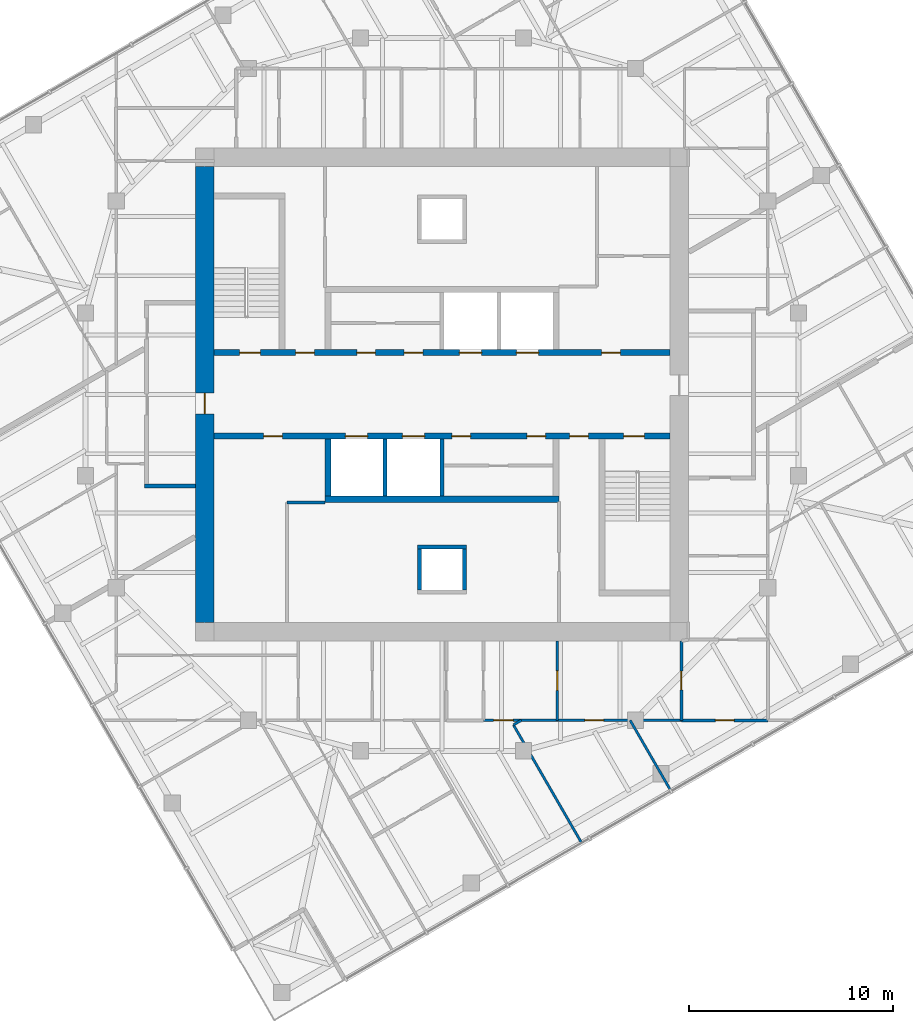
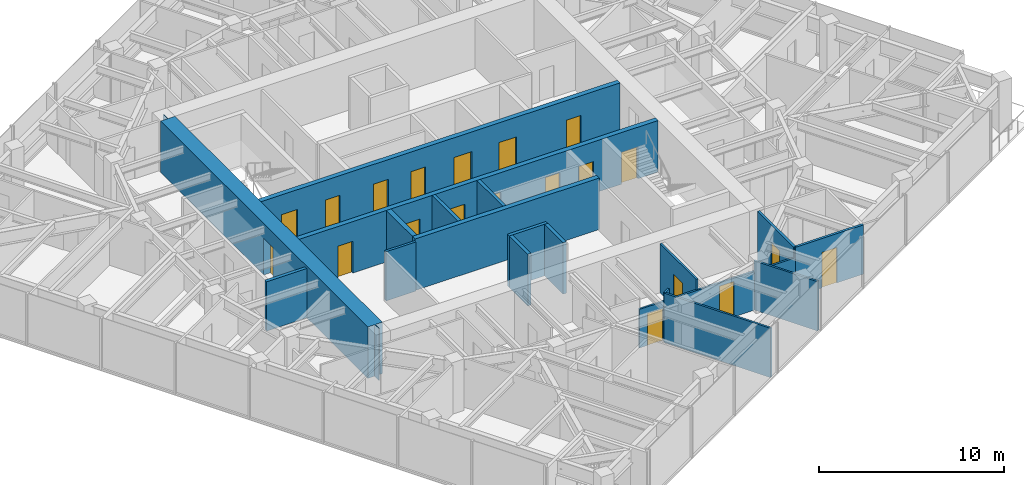
# One storey, part 8 of 13: 20 doors, 19 walls, 20 openings.
"""IFC4 building model written with IfcOpenShell, lengths in metres."""

from ifc_helpers import new_model, si_unit, direction, frame, frame_2d, origin, place, context, subcontext, project, spatial, polyline, rectangle, outline, extrude, material, layer, layer_set, type_object, element, fill, save


model = new_model("IFC4")

# Units and contexts
model_context = context("Model", 3, precision=1e-05, world=origin(), true_north=direction((0.0, 1.0)))
body_context = subcontext(model_context, "Body", "Model", "MODEL_VIEW")
ifc_project = project(units=[si_unit("LENGTHUNIT", "METRE"), si_unit("AREAUNIT", "SQUARE_METRE"), si_unit("VOLUMEUNIT", "CUBIC_METRE"), si_unit("PLANEANGLEUNIT", "RADIAN"), si_unit("MASSUNIT", "GRAM", prefix="KILO")], contexts=[model_context])

# Site, building, storey
site_placement = place(None, origin())
site = spatial("IfcSite", under=ifc_project, at=site_placement, CompositionType="ELEMENT")
building_placement = place(site_placement, origin())
building = spatial("IfcBuilding", under=site, at=building_placement, Name="Torsade Residences", CompositionType="ELEMENT")
storey_placement = place(building_placement, frame((0.0, 0.0, 225.199951171875)))
storey = spatial("IfcBuildingStorey", under=building, at=storey_placement, Name="L62", CompositionType="ELEMENT", Elevation=225.199951171875)

# Wall, openings, doors
ifc_material_1 = material(Name="Concrete 80 MPa", Category="concrete")
ifc_layer_1 = layer(ifc_material_1, 0.300048828125)
ifc_layer_set_1 = layer_set([ifc_layer_1], Name="Concrete 80 MPa")
wall_type_1 = type_object("IfcWallType", Name="CORE INTERNAL WALL 300", PredefinedType="SHEAR", material=ifc_layer_set_1)
wall_1_placement = place(storey_placement, frame((28.800048828125, 32.050048828125, 0.0), z_axis=(0.0, 0.0, 1.0), x_axis=(1.0, 0.0, 0.0)))
wall_1 = element("IfcWall", 1, at=wall_1_placement, inside=storey, type_object=wall_type_1, Name="Core wall LN L62", PredefinedType="SHEAR", context=body_context, shape_type="SweptSolid", body=[
    extrude(rectangle(XDim=22.39990234375, YDim=0.300048828125, at=frame_2d((11.199951171875, 0.0))), origin(), (0.0, 0.0, 1.0), 3.400146484375),
])
opening_1_placement = place(wall_1_placement, frame((19.0400390625, 0.0, 0.0)))
opening_1 = element("IfcOpeningElement", 2, at=opening_1_placement, cuts=wall_1, Name="Opening D06", PredefinedType="OPENING", context=body_context, shape_type="SweptSolid", body=[
    extrude(rectangle(XDim=0.919921875, YDim=2.10009765625, at=frame_2d((0.4599609375, 1.050048828125))), frame((0.0, 0.159912109375, 0.0), z_axis=(0.0, -1.0, 0.0), x_axis=(1.0, 0.0, 0.0)), (0.0, 0.0, 1.0), 0.320068359375),
])
opening_2_placement = place(wall_1_placement, frame((1.264892578125, 0.0, 0.0)))
opening_2 = element("IfcOpeningElement", 3, at=opening_2_placement, cuts=wall_1, Name="Opening D03", PredefinedType="OPENING", context=body_context, shape_type="SweptSolid", body=[
    extrude(rectangle(XDim=1.02001953125, YDim=2.10009765625, at=frame_2d((0.510009765625, 1.050048828125))), frame((0.0, 0.159912109375, 0.0), z_axis=(0.0, -1.0, 0.0), x_axis=(1.0, 0.0, 0.0)), (0.0, 0.0, 1.0), 0.320068359375),
])
opening_3_placement = place(wall_1_placement, frame((4.014892578125, 0.0, 0.0)))
opening_3 = element("IfcOpeningElement", 4, at=opening_3_placement, cuts=wall_1, Name="Opening D06", PredefinedType="OPENING", context=body_context, shape_type="SweptSolid", body=[
    extrude(rectangle(XDim=0.919921875, YDim=2.10009765625, at=frame_2d((0.4599609375, 1.050048828125))), frame((0.0, 0.159912109375, 0.0), z_axis=(0.0, -1.0, 0.0), x_axis=(1.0, 0.0, 0.0)), (0.0, 0.0, 1.0), 0.320068359375),
])
opening_4_placement = place(wall_1_placement, frame((7.014892578125, 0.0, 0.0)))
opening_4 = element("IfcOpeningElement", 5, at=opening_4_placement, cuts=wall_1, Name="Opening D06", PredefinedType="OPENING", context=body_context, shape_type="SweptSolid", body=[
    extrude(rectangle(XDim=0.919921875, YDim=2.10009765625, at=frame_2d((0.4599609375, 1.050048828125))), frame((0.0, 0.159912109375, 0.0), z_axis=(0.0, -1.0, 0.0), x_axis=(1.0, 0.0, 0.0)), (0.0, 0.0, 1.0), 0.320068359375),
])
opening_5_placement = place(wall_1_placement, frame((9.340087890625, 0.0, 0.0)))
opening_5 = element("IfcOpeningElement", 6, at=opening_5_placement, cuts=wall_1, Name="Opening D06", PredefinedType="OPENING", context=body_context, shape_type="SweptSolid", body=[
    extrude(rectangle(XDim=0.919921875, YDim=2.10009765625, at=frame_2d((0.4599609375, 1.050048828125))), frame((0.0, 0.159912109375, 0.0), z_axis=(0.0, -1.0, 0.0), x_axis=(1.0, 0.0, 0.0)), (0.0, 0.0, 1.0), 0.320068359375),
])
opening_6_placement = place(wall_1_placement, frame((12.050048828125, 0.0, 0.0)))
opening_6 = element("IfcOpeningElement", 7, at=opening_6_placement, cuts=wall_1, Name="Opening LD", PredefinedType="OPENING", context=body_context, shape_type="SweptSolid", body=[
    extrude(rectangle(XDim=1.10009765625, YDim=2.10009765625, at=frame_2d((0.550048828125, 1.050048828125))), frame((0.0, 0.159912109375, 0.0), z_axis=(0.0, -1.0, 0.0), x_axis=(1.0, 0.0, 0.0)), (0.0, 0.0, 1.0), 0.320068359375),
])
opening_7_placement = place(wall_1_placement, frame((14.85009765625, 0.0, 0.0)))
opening_7 = element("IfcOpeningElement", 8, at=opening_7_placement, cuts=wall_1, Name="Opening LD", PredefinedType="OPENING", context=body_context, shape_type="SweptSolid", body=[
    extrude(rectangle(XDim=1.10009765625, YDim=2.10009765625, at=frame_2d((0.550048828125, 1.050048828125))), frame((0.0, 0.159912109375, 0.0), z_axis=(0.0, -1.0, 0.0), x_axis=(1.0, 0.0, 0.0)), (0.0, 0.0, 1.0), 0.320068359375),
])
ifc_material_2 = material(Name="Steel-framed fire door", Category="steel")
door_type_1 = type_object("IfcDoorType", Name="FIRE DOOR 1020", OperationType="NOTDEFINED", PredefinedType="DOOR", material=ifc_material_2)
door_1_placement = place(opening_2_placement, origin())
door_1 = element("IfcDoor", 9, at=door_1_placement, inside=storey, type_object=door_type_1, Name="Exit door to fire-isolated stair ST1 L62", OperationType="SINGLE_SWING_RIGHT", OverallHeight=2.10009765625, OverallWidth=1.02001953125, PredefinedType="DOOR", context=body_context, shape_type="SweptSolid", body=[
    extrude(rectangle(XDim=1.02001953125, YDim=2.10009765625, at=frame_2d((0.510009765625, 1.050048828125))), frame((0.0, 0.02490234375, 0.0), z_axis=(0.0, -1.0, 0.0), x_axis=(1.0, 0.0, 0.0)), (0.0, 0.0, 1.0), 0.050048828125),
])
fill(opening_2, door_1)
ifc_material_3 = material(Name="Steel-framed fire door", Category="steel")
door_type_2 = type_object("IfcDoorType", Name="FIRE DOOR 920", OperationType="NOTDEFINED", PredefinedType="DOOR", material=ifc_material_3)
door_2_placement = place(opening_1_placement, origin())
door_2 = element("IfcDoor", 10, at=door_2_placement, inside=storey, type_object=door_type_2, Name="Door Lift lobby to Refuse room", OperationType="SINGLE_SWING_LEFT", OverallHeight=2.10009765625, OverallWidth=0.919921875, PredefinedType="DOOR", context=body_context, shape_type="SweptSolid", body=[
    extrude(rectangle(XDim=0.919921875, YDim=2.10009765625, at=frame_2d((0.4599609375, 1.050048828125))), frame((0.0, 0.02490234375, 0.0), z_axis=(0.0, -1.0, 0.0), x_axis=(1.0, 0.0, 0.0)), (0.0, 0.0, 1.0), 0.050048828125),
])
fill(opening_1, door_2)
door_3_placement = place(opening_3_placement, origin())
door_3 = element("IfcDoor", 11, at=door_3_placement, inside=storey, type_object=door_type_2, Name="Door Lift lobby to Main switchboard store", OperationType="SINGLE_SWING_LEFT", OverallHeight=2.10009765625, OverallWidth=0.919921875, PredefinedType="DOOR", context=body_context, shape_type="SweptSolid", body=[
    extrude(rectangle(XDim=0.919921875, YDim=2.10009765625, at=frame_2d((0.4599609375, 1.050048828125))), frame((0.0, 0.02490234375, 0.0), z_axis=(0.0, -1.0, 0.0), x_axis=(1.0, 0.0, 0.0)), (0.0, 0.0, 1.0), 0.050048828125),
])
fill(opening_3, door_3)
door_4_placement = place(opening_4_placement, origin())
door_4 = element("IfcDoor", 12, at=door_4_placement, inside=storey, type_object=door_type_2, Name="Door Lift lobby to Communications room L62A", OperationType="SINGLE_SWING_RIGHT", OverallHeight=2.10009765625, OverallWidth=0.919921875, PredefinedType="DOOR", context=body_context, shape_type="SweptSolid", body=[
    extrude(rectangle(XDim=0.919921875, YDim=2.10009765625, at=frame_2d((0.4599609375, 1.050048828125))), frame((0.0, 0.02490234375, 0.0), z_axis=(0.0, -1.0, 0.0), x_axis=(1.0, 0.0, 0.0)), (0.0, 0.0, 1.0), 0.050048828125),
])
fill(opening_4, door_4)
door_5_placement = place(opening_5_placement, origin())
door_5 = element("IfcDoor", 13, at=door_5_placement, inside=storey, type_object=door_type_2, Name="Door Lift lobby to Communications room L62A", OperationType="SINGLE_SWING_RIGHT", OverallHeight=2.10009765625, OverallWidth=0.919921875, PredefinedType="DOOR", context=body_context, shape_type="SweptSolid", body=[
    extrude(rectangle(XDim=0.919921875, YDim=2.10009765625, at=frame_2d((0.4599609375, 1.050048828125))), frame((0.0, 0.02490234375, 0.0), z_axis=(0.0, -1.0, 0.0), x_axis=(1.0, 0.0, 0.0)), (0.0, 0.0, 1.0), 0.050048828125),
])
fill(opening_5, door_5)
ifc_material_4 = material(Name="Stainless steel lift landing door", Category="steel")
door_type_3 = type_object("IfcDoorType", Name="LIFT LANDING DOOR 1100", OperationType="SLIDING_TO_LEFT", PredefinedType="DOOR", material=ifc_material_4)
door_6_placement = place(opening_6_placement, origin())
door_6 = element("IfcDoor", 14, at=door_6_placement, inside=storey, type_object=door_type_3, Name="Lift LA3 landing door L62", OperationType="SLIDING_TO_LEFT", OverallHeight=2.10009765625, OverallWidth=1.10009765625, PredefinedType="DOOR", context=body_context, shape_type="SweptSolid", body=[
    extrude(rectangle(XDim=1.10009765625, YDim=2.10009765625, at=frame_2d((0.550048828125, 1.050048828125))), frame((0.0, 0.02490234375, 0.0), z_axis=(0.0, -1.0, 0.0), x_axis=(1.0, 0.0, 0.0)), (0.0, 0.0, 1.0), 0.050048828125),
])
fill(opening_6, door_6)
door_7_placement = place(opening_7_placement, origin())
door_7 = element("IfcDoor", 15, at=door_7_placement, inside=storey, type_object=door_type_3, Name="Lift FL1 landing door L62", OperationType="SLIDING_TO_LEFT", OverallHeight=2.10009765625, OverallWidth=1.10009765625, PredefinedType="DOOR", context=body_context, shape_type="SweptSolid", body=[
    extrude(rectangle(XDim=1.10009765625, YDim=2.10009765625, at=frame_2d((0.550048828125, 1.050048828125))), frame((0.0, 0.02490234375, 0.0), z_axis=(0.0, -1.0, 0.0), x_axis=(1.0, 0.0, 0.0)), (0.0, 0.0, 1.0), 0.050048828125),
])
fill(opening_7, door_7)

wall_2_placement = place(storey_placement, frame((51.199951171875, 27.949951171875, 0.0), z_axis=(0.0, 0.0, 1.0), x_axis=(-1.0, 0.0, 0.0)))
wall_2 = element("IfcWall", 16, at=wall_2_placement, inside=storey, type_object=wall_type_1, Name="Core wall LS L62", PredefinedType="SHEAR", context=body_context, shape_type="SweptSolid", body=[
    extrude(rectangle(XDim=22.39990234375, YDim=0.300048828125, at=frame_2d((11.199951171875, 0.0))), origin(), (0.0, 0.0, 1.0), 3.400146484375),
])
opening_8_placement = place(wall_2_placement, frame((19.0400390625, 0.0, 0.0)))
opening_8 = element("IfcOpeningElement", 17, at=opening_8_placement, cuts=wall_2, Name="Opening D06", PredefinedType="OPENING", context=body_context, shape_type="SweptSolid", body=[
    extrude(rectangle(XDim=0.919921875, YDim=2.10009765625, at=frame_2d((0.4599609375, 1.050048828125))), frame((0.0, 0.159912109375, 0.0), z_axis=(0.0, -1.0, 0.0), x_axis=(1.0, 0.0, 0.0)), (0.0, 0.0, 1.0), 0.320068359375),
])
opening_9_placement = place(wall_2_placement, frame((1.264892578125, 0.0, 0.0)))
opening_9 = element("IfcOpeningElement", 18, at=opening_9_placement, cuts=wall_2, Name="Opening D03", PredefinedType="OPENING", context=body_context, shape_type="SweptSolid", body=[
    extrude(rectangle(XDim=1.02001953125, YDim=2.10009765625, at=frame_2d((0.510009765625, 1.050048828125))), frame((0.0, 0.159912109375, 0.0), z_axis=(0.0, -1.0, 0.0), x_axis=(1.0, 0.0, 0.0)), (0.0, 0.0, 1.0), 0.320068359375),
])
opening_10_placement = place(wall_2_placement, frame((4.014892578125, 0.0, 0.0)))
opening_10 = element("IfcOpeningElement", 19, at=opening_10_placement, cuts=wall_2, Name="Opening D06", PredefinedType="OPENING", context=body_context, shape_type="SweptSolid", body=[
    extrude(rectangle(XDim=0.919921875, YDim=2.10009765625, at=frame_2d((0.4599609375, 1.050048828125))), frame((0.0, 0.159912109375, 0.0), z_axis=(0.0, -1.0, 0.0), x_axis=(1.0, 0.0, 0.0)), (0.0, 0.0, 1.0), 0.320068359375),
])
opening_11_placement = place(wall_2_placement, frame((9.7900390625, 0.0, 0.0)))
opening_11 = element("IfcOpeningElement", 20, at=opening_11_placement, cuts=wall_2, Name="Opening D06", PredefinedType="OPENING", context=body_context, shape_type="SweptSolid", body=[
    extrude(rectangle(XDim=0.919921875, YDim=2.10009765625, at=frame_2d((0.4599609375, 1.050048828125))), frame((0.0, 0.159912109375, 0.0), z_axis=(0.0, -1.0, 0.0), x_axis=(1.0, 0.0, 0.0)), (0.0, 0.0, 1.0), 0.320068359375),
])
opening_12_placement = place(wall_2_placement, frame((6.114990234375, 0.0, 0.0)))
opening_12 = element("IfcOpeningElement", 21, at=opening_12_placement, cuts=wall_2, Name="Opening D06", PredefinedType="OPENING", context=body_context, shape_type="SweptSolid", body=[
    extrude(rectangle(XDim=0.919921875, YDim=2.10009765625, at=frame_2d((0.4599609375, 1.050048828125))), frame((0.0, 0.159912109375, 0.0), z_axis=(0.0, -1.0, 0.0), x_axis=(1.0, 0.0, 0.0)), (0.0, 0.0, 1.0), 0.320068359375),
])
opening_13_placement = place(wall_2_placement, frame((12.050048828125, 0.0, 0.0)))
opening_13 = element("IfcOpeningElement", 22, at=opening_13_placement, cuts=wall_2, Name="Opening LD", PredefinedType="OPENING", context=body_context, shape_type="SweptSolid", body=[
    extrude(rectangle(XDim=1.10009765625, YDim=2.10009765625, at=frame_2d((0.550048828125, 1.050048828125))), frame((0.0, 0.159912109375, 0.0), z_axis=(0.0, -1.0, 0.0), x_axis=(1.0, 0.0, 0.0)), (0.0, 0.0, 1.0), 0.320068359375),
])
opening_14_placement = place(wall_2_placement, frame((14.85009765625, 0.0, 0.0)))
opening_14 = element("IfcOpeningElement", 23, at=opening_14_placement, cuts=wall_2, Name="Opening LD", PredefinedType="OPENING", context=body_context, shape_type="SweptSolid", body=[
    extrude(rectangle(XDim=1.10009765625, YDim=2.10009765625, at=frame_2d((0.550048828125, 1.050048828125))), frame((0.0, 0.159912109375, 0.0), z_axis=(0.0, -1.0, 0.0), x_axis=(1.0, 0.0, 0.0)), (0.0, 0.0, 1.0), 0.320068359375),
])
door_8_placement = place(opening_9_placement, origin())
door_8 = element("IfcDoor", 24, at=door_8_placement, inside=storey, type_object=door_type_1, Name="Exit door to fire-isolated stair ST2 L62", OperationType="SINGLE_SWING_RIGHT", OverallHeight=2.10009765625, OverallWidth=1.02001953125, PredefinedType="DOOR", context=body_context, shape_type="SweptSolid", body=[
    extrude(rectangle(XDim=1.02001953125, YDim=2.10009765625, at=frame_2d((0.510009765625, 1.050048828125))), frame((0.0, 0.02490234375, 0.0), z_axis=(0.0, -1.0, 0.0), x_axis=(1.0, 0.0, 0.0)), (0.0, 0.0, 1.0), 0.050048828125),
])
fill(opening_9, door_8)
door_9_placement = place(opening_8_placement, origin())
door_9 = element("IfcDoor", 25, at=door_9_placement, inside=storey, type_object=door_type_2, Name="Door Lift lobby to Cleaner store", OperationType="SINGLE_SWING_LEFT", OverallHeight=2.10009765625, OverallWidth=0.919921875, PredefinedType="DOOR", context=body_context, shape_type="SweptSolid", body=[
    extrude(rectangle(XDim=0.919921875, YDim=2.10009765625, at=frame_2d((0.4599609375, 1.050048828125))), frame((0.0, 0.02490234375, 0.0), z_axis=(0.0, -1.0, 0.0), x_axis=(1.0, 0.0, 0.0)), (0.0, 0.0, 1.0), 0.050048828125),
])
fill(opening_8, door_9)
door_10_placement = place(opening_10_placement, origin())
door_10 = element("IfcDoor", 26, at=door_10_placement, inside=storey, type_object=door_type_2, Name="Door Lift lobby to Security and data store", OperationType="SINGLE_SWING_RIGHT", OverallHeight=2.10009765625, OverallWidth=0.919921875, PredefinedType="DOOR", context=body_context, shape_type="SweptSolid", body=[
    extrude(rectangle(XDim=0.919921875, YDim=2.10009765625, at=frame_2d((0.4599609375, 1.050048828125))), frame((0.0, 0.02490234375, 0.0), z_axis=(0.0, -1.0, 0.0), x_axis=(1.0, 0.0, 0.0)), (0.0, 0.0, 1.0), 0.050048828125),
])
fill(opening_10, door_10)
door_11_placement = place(opening_11_placement, origin())
door_11 = element("IfcDoor", 27, at=door_11_placement, inside=storey, type_object=door_type_2, Name="Door Lift lobby to IT equipment room L62C", OperationType="SINGLE_SWING_RIGHT", OverallHeight=2.10009765625, OverallWidth=0.919921875, PredefinedType="DOOR", context=body_context, shape_type="SweptSolid", body=[
    extrude(rectangle(XDim=0.919921875, YDim=2.10009765625, at=frame_2d((0.4599609375, 1.050048828125))), frame((0.0, 0.02490234375, 0.0), z_axis=(0.0, -1.0, 0.0), x_axis=(1.0, 0.0, 0.0)), (0.0, 0.0, 1.0), 0.050048828125),
])
fill(opening_11, door_11)
door_12_placement = place(opening_12_placement, origin())
door_12 = element("IfcDoor", 28, at=door_12_placement, inside=storey, type_object=door_type_2, Name="Door Lift lobby to IT equipment room L62C", OperationType="SINGLE_SWING_LEFT", OverallHeight=2.10009765625, OverallWidth=0.919921875, PredefinedType="DOOR", context=body_context, shape_type="SweptSolid", body=[
    extrude(rectangle(XDim=0.919921875, YDim=2.10009765625, at=frame_2d((0.4599609375, 1.050048828125))), frame((0.0, 0.02490234375, 0.0), z_axis=(0.0, -1.0, 0.0), x_axis=(1.0, 0.0, 0.0)), (0.0, 0.0, 1.0), 0.050048828125),
])
fill(opening_12, door_12)
door_13_placement = place(opening_13_placement, origin())
door_13 = element("IfcDoor", 29, at=door_13_placement, inside=storey, type_object=door_type_3, Name="Lift LB3 landing door L62", OperationType="SLIDING_TO_LEFT", OverallHeight=2.10009765625, OverallWidth=1.10009765625, PredefinedType="DOOR", context=body_context, shape_type="SweptSolid", body=[
    extrude(rectangle(XDim=1.10009765625, YDim=2.10009765625, at=frame_2d((0.550048828125, 1.050048828125))), frame((0.0, 0.02490234375, 0.0), z_axis=(0.0, -1.0, 0.0), x_axis=(1.0, 0.0, 0.0)), (0.0, 0.0, 1.0), 0.050048828125),
])
fill(opening_13, door_13)
door_14_placement = place(opening_14_placement, origin())
door_14 = element("IfcDoor", 30, at=door_14_placement, inside=storey, type_object=door_type_3, Name="Lift FL2 landing door L62", OperationType="SLIDING_TO_LEFT", OverallHeight=2.10009765625, OverallWidth=1.10009765625, PredefinedType="DOOR", context=body_context, shape_type="SweptSolid", body=[
    extrude(rectangle(XDim=1.10009765625, YDim=2.10009765625, at=frame_2d((0.550048828125, 1.050048828125))), frame((0.0, 0.02490234375, 0.0), z_axis=(0.0, -1.0, 0.0), x_axis=(1.0, 0.0, 0.0)), (0.0, 0.0, 1.0), 0.050048828125),
])
fill(opening_14, door_14)

# Walls
wall_3_placement = place(storey_placement, frame((45.75, 24.85009765625, 0.0), z_axis=(0.0, 0.0, 1.0), x_axis=(-1.0, 0.0, 0.0)))
element("IfcWall", 31, at=wall_3_placement, inside=storey, type_object=wall_type_1, Name="Core wall BS L62", PredefinedType="SHEAR", context=body_context, shape_type="SweptSolid", body=[
    extrude(rectangle(XDim=11.5, YDim=0.300048828125, at=frame_2d((5.75, 0.0))), origin(), (0.0, 0.0, 1.0), 3.400146484375),
])
wall_4_placement = place(storey_placement, frame((34.39990234375, 27.800048828125, 0.0), z_axis=(0.0, 0.0, 1.0), x_axis=(0.0, -1.0, 0.0)))
element("IfcWall", 32, at=wall_4_placement, inside=storey, type_object=wall_type_1, Name="Core wall DS4 L62", PredefinedType="SHEAR", context=body_context, shape_type="SweptSolid", body=[
    extrude(rectangle(XDim=2.800048828125, YDim=0.300048828125, at=frame_2d((1.39990234375, 0.0))), origin(), (0.0, 0.0, 1.0), 3.400146484375),
])

# Wall, opening, door
ifc_material_5 = material(Name="Concrete 80 MPa", Category="concrete")
ifc_layer_2 = layer(ifc_material_5, 0.89990234375)
ifc_layer_set_2 = layer_set([ifc_layer_2], Name="Concrete 80 MPa")
wall_type_2 = type_object("IfcWallType", Name="CORE WALL 900", PredefinedType="SHEAR", material=ifc_layer_set_2)
wall_5_placement = place(storey_placement, frame((28.35009765625, 41.199951171875, 0.0), z_axis=(0.0, 0.0, 1.0), x_axis=(0.0, -1.0, 0.0)))
wall_5 = element("IfcWall", 33, at=wall_5_placement, inside=storey, type_object=wall_type_2, Name="Core wall W L62", PredefinedType="SHEAR", context=body_context, shape_type="SweptSolid", body=[
    extrude(outline(polyline([(0.0, -0.449951171875), (22.39990234375, -0.449951171875), (22.39990234375, -0.02490234375), (22.849853515625, -0.02490234375), (22.849853515625, 0.02490234375), (22.39990234375, 0.02490234375), (22.39990234375, 0.449951171875), (0.0, 0.449951171875), (0.0, 0.02490234375), (-0.449951171875, 0.02490234375), (-0.449951171875, -0.02490234375), (0.0, -0.02490234375), (0.0, -0.449951171875)])), origin(), (0.0, 0.0, 1.0), 3.400146484375),
])
opening_15_placement = place(wall_5_placement, frame((11.139892578125, 0.0, 0.0)))
opening_15 = element("IfcOpeningElement", 34, at=opening_15_placement, cuts=wall_5, Name="Opening D04", PredefinedType="OPENING", context=body_context, shape_type="SweptSolid", body=[
    extrude(rectangle(XDim=1.02001953125, YDim=2.39990234375, at=frame_2d((0.510009765625, 1.199951171875))), frame((0.0, 0.4599609375, 0.0), z_axis=(0.0, -1.0, 0.0), x_axis=(1.0, 0.0, 0.0)), (0.0, 0.0, 1.0), 0.919921875),
])
ifc_material_6 = material(Name="Steel-framed fire door", Category="steel")
door_type_4 = type_object("IfcDoorType", Name="LOBBY SMOKE DOOR 1020x2400", OperationType="NOTDEFINED", PredefinedType="DOOR", material=ifc_material_6)
door_15_placement = place(opening_15_placement, origin())
door_15 = element("IfcDoor", 35, at=door_15_placement, inside=storey, type_object=door_type_4, Name="Lift lobby door W L62", OperationType="SINGLE_SWING_RIGHT", OverallHeight=2.39990234375, OverallWidth=1.02001953125, PredefinedType="DOOR", context=body_context, shape_type="SweptSolid", body=[
    extrude(rectangle(XDim=1.02001953125, YDim=2.39990234375, at=frame_2d((0.510009765625, 1.199951171875))), frame((0.0, 0.02490234375, 0.0), z_axis=(0.0, -1.0, 0.0), x_axis=(1.0, 0.0, 0.0)), (0.0, 0.0, 1.0), 0.050048828125),
])
fill(opening_15, door_15)

# Walls
ifc_material_7 = material(Name="Plasterboard on steel stud", Category="steel")
ifc_layer_3 = layer(ifc_material_7, 0.199951171875)
ifc_layer_set_3 = layer_set([ifc_layer_3], Name="Plasterboard on steel stud")
wall_type_3 = type_object("IfcWallType", Name="CORRIDOR WALL 200", PredefinedType="PARTITIONING", material=ifc_layer_set_3)
wall_6_placement = place(storey_placement, frame((27.89990234375, 25.5, 0.0), z_axis=(0.0, 0.0, 1.0), x_axis=(-1.0, 0.0, 0.0)))
element("IfcWall", 36, at=wall_6_placement, inside=storey, type_object=wall_type_3, Name="Corridor wall L62", PredefinedType="PARTITIONING", context=body_context, shape_type="SweptSolid", body=[
    extrude(rectangle(XDim=2.5, YDim=0.199951171875, at=frame_2d((1.25, 0.0))), origin(), (0.0, 0.0, 1.0), 3.25),
])
ifc_material_8 = material(Name="Reinforced blockwork", Category="masonry")
ifc_layer_4 = layer(ifc_material_8, 0.199951171875)
ifc_layer_set_4 = layer_set([ifc_layer_4], Name="Reinforced blockwork")
wall_type_4 = type_object("IfcWallType", Name="LIFT SHAFT DIVIDING WALL 200", PredefinedType="SOLIDWALL", material=ifc_layer_set_4)
for number, where, z_axis, x_axis, name in (
    (37, (40.0, 27.800048828125, 0.0), (0.0, 0.0, 1.0), (0.0, -1.0, 0.0), "Core wall DS2 L62"),
    (38, (37.199951171875, 27.800048828125, 0.0), (0.0, 0.0, 1.0), (0.0, -1.0, 0.0), "Core wall DS3 L62"),
):
    element("IfcWall", number, at=place(storey_placement, frame(where, z_axis=z_axis, x_axis=x_axis)), inside=storey, type_object=wall_type_4, Name=name, PredefinedType="SOLIDWALL", context=body_context, shape_type="SweptSolid", body=[
        extrude(rectangle(XDim=2.800048828125, YDim=0.199951171875, at=frame_2d((1.39990234375, 0.0))), origin(), (0.0, 0.0, 1.0), 3.400146484375),
    ])

# Wall, opening, door
ifc_material_9 = material(Name="Plasterboard on steel stud", Category="steel")
ifc_layer_5 = layer(ifc_material_9, 0.1201171875)
ifc_layer_set_5 = layer_set([ifc_layer_5], Name="Plasterboard on steel stud")
wall_type_5 = type_object("IfcWallType", Name="PARTITION 120", PredefinedType="PARTITIONING", material=ifc_layer_set_5)
wall_7_placement = place(storey_placement, frame((45.6591796875, 17.89990234375, 0.0), z_axis=(0.0, 0.0, 1.0), x_axis=(0.0, -1.0, 0.0)))
wall_7 = element("IfcWall", 39, at=wall_7_placement, inside=storey, type_object=wall_type_5, Name="Partition L62", PredefinedType="PARTITIONING", context=body_context, shape_type="SweptSolid", body=[
    extrude(rectangle(XDim=3.89990234375, YDim=0.1201171875, at=frame_2d((1.949951171875, 0.0))), origin(), (0.0, 0.0, 1.0), 3.25),
])
opening_16_placement = place(wall_7_placement, frame((1.469970703125, 0.0, 0.0)))
opening_16 = element("IfcOpeningElement", 40, at=opening_16_placement, cuts=wall_7, Name="Opening D05", PredefinedType="OPENING", context=body_context, shape_type="SweptSolid", body=[
    extrude(rectangle(XDim=0.9599609375, YDim=2.10009765625, at=frame_2d((0.47998046875, 1.050048828125))), frame((0.0, 0.070068359375, 0.0), z_axis=(0.0, -1.0, 0.0), x_axis=(1.0, 0.0, 0.0)), (0.0, 0.0, 1.0), 0.14013671875),
])
ifc_material_10 = material(Name="Hollow-core timber door in a steel cavity frame", Category="steel")
door_type_5 = type_object("IfcDoorType", Name="BATHROOM CAVITY SLIDING DOOR 960", OperationType="SLIDING_TO_LEFT", PredefinedType="DOOR", material=ifc_material_10)
door_16_placement = place(opening_16_placement, origin())
door_16 = element("IfcDoor", 41, at=door_16_placement, inside=storey, type_object=door_type_5, Name="Door Walk-in robe to Laundry", OperationType="SLIDING_TO_LEFT", OverallHeight=2.10009765625, OverallWidth=0.9599609375, PredefinedType="DOOR", context=body_context, shape_type="SweptSolid", body=[
    extrude(rectangle(XDim=0.9599609375, YDim=2.10009765625, at=frame_2d((0.47998046875, 1.050048828125))), frame((0.0, 0.02490234375, 0.0), z_axis=(0.0, -1.0, 0.0), x_axis=(1.0, 0.0, 0.0)), (0.0, 0.0, 1.0), 0.050048828125),
])
fill(opening_16, door_16)

# Wall, openings, doors
wall_8_placement = place(storey_placement, frame((51.757080078125, 14.0, 0.0), z_axis=(0.0, 0.0, 1.0), x_axis=(-1.0, 0.0, 0.0)))
wall_8 = element("IfcWall", 42, at=wall_8_placement, inside=storey, type_object=wall_type_5, Name="Partition L62", PredefinedType="PARTITIONING", context=body_context, shape_type="SweptSolid", body=[
    extrude(rectangle(XDim=9.72607421875, YDim=0.1201171875, at=frame_2d((4.863037109375, 0.0))), origin(), (0.0, 0.0, 1.0), 2.550048828125),
])
opening_17_placement = place(wall_8_placement, frame((3.81982421875, 0.0, 0.0)))
opening_17 = element("IfcOpeningElement", 43, at=opening_17_placement, cuts=wall_8, Name="Opening D02", PredefinedType="OPENING", context=body_context, shape_type="SweptSolid", body=[
    extrude(rectangle(XDim=0.919921875, YDim=2.340087890625, at=frame_2d((0.4599609375, 1.169921875))), frame((0.0, 0.070068359375, 0.0), z_axis=(0.0, -1.0, 0.0), x_axis=(1.0, 0.0, 0.0)), (0.0, 0.0, 1.0), 0.14013671875),
])
opening_18_placement = place(wall_8_placement, frame((8.262939453125, 0.0, 0.0)))
opening_18 = element("IfcOpeningElement", 44, at=opening_18_placement, cuts=wall_8, Name="Opening D05", PredefinedType="OPENING", context=body_context, shape_type="SweptSolid", body=[
    extrude(rectangle(XDim=0.9599609375, YDim=2.10009765625, at=frame_2d((0.47998046875, 1.050048828125))), frame((0.0, 0.070068359375, 0.0), z_axis=(0.0, -1.0, 0.0), x_axis=(1.0, 0.0, 0.0)), (0.0, 0.0, 1.0), 0.14013671875),
])
door_17_placement = place(opening_18_placement, origin())
door_17 = element("IfcDoor", 45, at=door_17_placement, inside=storey, type_object=door_type_5, Name="Door Laundry to Bedroom 3", OperationType="SLIDING_TO_LEFT", OverallHeight=2.10009765625, OverallWidth=0.9599609375, PredefinedType="DOOR", context=body_context, shape_type="SweptSolid", body=[
    extrude(rectangle(XDim=0.9599609375, YDim=2.10009765625, at=frame_2d((0.47998046875, 1.050048828125))), frame((0.0, 0.02490234375, 0.0), z_axis=(0.0, -1.0, 0.0), x_axis=(1.0, 0.0, 0.0)), (0.0, 0.0, 1.0), 0.050048828125),
])
fill(opening_18, door_17)
ifc_material_11 = material(Name="Hollow-core timber door", Category="wood")
door_type_6 = type_object("IfcDoorType", Name="INTERNAL DOOR 920x2340", OperationType="NOTDEFINED", PredefinedType="DOOR", material=ifc_material_11)
door_18_placement = place(opening_17_placement, origin())
door_18 = element("IfcDoor", 46, at=door_18_placement, inside=storey, type_object=door_type_6, Name="Door Walk-in robe to Media room", OperationType="SINGLE_SWING_LEFT", OverallHeight=2.340087890625, OverallWidth=0.919921875, PredefinedType="DOOR", context=body_context, shape_type="SweptSolid", body=[
    extrude(rectangle(XDim=0.919921875, YDim=2.340087890625, at=frame_2d((0.4599609375, 1.169921875))), frame((0.0, 0.02490234375, 0.0), z_axis=(0.0, -1.0, 0.0), x_axis=(1.0, 0.0, 0.0)), (0.0, 0.0, 1.0), 0.050048828125),
])
fill(opening_17, door_18)

# Walls
wall_9_placement = place(storey_placement, frame((43.89697265625, 14.0, 0.0), z_axis=(0.0, 0.0, 1.0), x_axis=(-0.865896406789, -0.500223362819, 0.0)))
element("IfcWall", 47, at=wall_9_placement, inside=storey, type_object=wall_type_5, Name="Partition L62", PredefinedType="PARTITIONING", context=body_context, shape_type="SweptSolid", body=[
    extrude(rectangle(XDim=0.449951171875, YDim=0.1201171875, at=frame_2d((0.22509765625, 0.0))), origin(), (0.0, 0.0, 1.0), 3.25),
])
wall_10_placement = place(storey_placement, frame((43.50732421875, 13.77490234375, 0.0), z_axis=(0.0, 0.0, 1.0), x_axis=(0.500013541994, -0.866017585169, 0.0)))
element("IfcWall", 48, at=wall_10_placement, inside=storey, type_object=wall_type_5, Name="Partition L62", PredefinedType="PARTITIONING", context=body_context, shape_type="SweptSolid", body=[
    extrude(rectangle(XDim=6.655029296875, YDim=0.1201171875, at=frame_2d((3.32763671875, 0.0))), origin(), (0.0, 0.0, 1.0), 3.25),
])
wall_11_placement = place(storey_placement, frame((51.22998046875, 10.549072265625, 0.0), z_axis=(0.0, 0.0, 1.0), x_axis=(-0.500007073895, 0.866021319631, 0.0)))
element("IfcWall", 49, at=wall_11_placement, inside=storey, type_object=wall_type_5, Name="Partition L62", PredefinedType="PARTITIONING", context=body_context, shape_type="SweptSolid", body=[
    extrude(rectangle(XDim=3.98486328125, YDim=0.1201171875, at=frame_2d((1.992431640625, 0.0))), origin(), (0.0, 0.0, 1.0), 3.25),
])
ifc_material_12 = material(Name="Reinforced blockwork", Category="masonry")
ifc_layer_6 = layer(ifc_material_12, 0.199951171875)
ifc_layer_set_6 = layer_set([ifc_layer_6], Name="Reinforced blockwork")
wall_type_6 = type_object("IfcWallType", Name="RISER SHAFT WALL 200", PredefinedType="SOLIDWALL", material=ifc_layer_set_6)
for number, where, z_axis, x_axis, name in (
    (50, (38.89990234375, 22.39990234375, 0.0), (0.0, 0.0, 1.0), (0.0, -1.0, 0.0), "Core wall RS2a L62"),
    (51, (41.10009765625, 22.39990234375, 0.0), (0.0, 0.0, 1.0), (0.0, -1.0, 0.0), "Core wall RS2b L62"),
):
    element("IfcWall", number, at=place(storey_placement, frame(where, z_axis=z_axis, x_axis=x_axis)), inside=storey, type_object=wall_type_6, Name=name, PredefinedType="SOLIDWALL", context=body_context, shape_type="SweptSolid", body=[
        extrude(rectangle(XDim=2.0, YDim=0.199951171875, at=frame_2d((1.0, 0.0))), origin(), (0.0, 0.0, 1.0), 3.400146484375),
    ])
wall_12_placement = place(storey_placement, frame((38.800048828125, 22.5, 0.0), z_axis=(0.0, 0.0, 1.0), x_axis=(1.0, 0.0, 0.0)))
element("IfcWall", 52, at=wall_12_placement, inside=storey, type_object=wall_type_6, Name="Core wall RS2c L62", PredefinedType="SOLIDWALL", context=body_context, shape_type="SweptSolid", body=[
    extrude(rectangle(XDim=2.39990234375, YDim=0.199951171875, at=frame_2d((1.199951171875, 0.0))), origin(), (0.0, 0.0, 1.0), 3.400146484375),
])
ifc_material_13 = material(Name="Reinforced blockwork", Category="masonry")
ifc_layer_7 = layer(ifc_material_13, 0.14990234375)
ifc_layer_set_7 = layer_set([ifc_layer_7], Name="Reinforced blockwork")
wall_type_7 = type_object("IfcWallType", Name="SERVICE ROOM WALL 150", PredefinedType="SOLIDWALL", material=ifc_layer_set_7)
wall_13_placement = place(storey_placement, frame((32.39990234375, 24.699951171875, 0.0), z_axis=(0.0, 0.0, 1.0), x_axis=(1.0, 0.0, 0.0)))
element("IfcWall", 53, at=wall_13_placement, inside=storey, type_object=wall_type_7, Name="Service room wall L62", PredefinedType="SOLIDWALL", context=body_context, shape_type="SweptSolid", body=[
    extrude(rectangle(XDim=1.85009765625, YDim=0.14990234375, at=frame_2d((0.925048828125, 0.0))), origin(), (0.0, 0.0, 1.0), 3.25),
])

# Wall, opening, door
wall_14_placement = place(storey_placement, frame((51.757080078125, 14.0, 0.0), z_axis=(0.0, 0.0, 1.0), x_axis=(0.0, 1.0, 0.0)))
wall_14 = element("IfcWall", 54, at=wall_14_placement, inside=storey, type_object=wall_type_7, Name="Service room wall L62", PredefinedType="SOLIDWALL", context=body_context, shape_type="SweptSolid", body=[
    extrude(rectangle(XDim=3.89990234375, YDim=0.14990234375, at=frame_2d((1.949951171875, 0.0))), origin(), (0.0, 0.0, 1.0), 3.25),
])
opening_19_placement = place(wall_14_placement, frame((1.489990234375, 0.0, 0.0)))
opening_19 = element("IfcOpeningElement", 55, at=opening_19_placement, cuts=wall_14, Name="Opening D02L", PredefinedType="OPENING", context=body_context, shape_type="SweptSolid", body=[
    extrude(rectangle(XDim=0.919921875, YDim=2.10009765625, at=frame_2d((0.4599609375, 1.050048828125))), frame((0.0, 0.0849609375, 0.0), z_axis=(0.0, -1.0, 0.0), x_axis=(1.0, 0.0, 0.0)), (0.0, 0.0, 1.0), 0.169921875),
])
ifc_material_14 = material(Name="Hollow-core timber door", Category="wood")
door_type_7 = type_object("IfcDoorType", Name="INTERNAL DOOR 920x2100", OperationType="NOTDEFINED", PredefinedType="DOOR", material=ifc_material_14)
door_19_placement = place(opening_19_placement, origin())
door_19 = element("IfcDoor", 56, at=door_19_placement, inside=storey, type_object=door_type_7, Name="Door Linen store to Walk-in robe", OperationType="SINGLE_SWING_RIGHT", OverallHeight=2.10009765625, OverallWidth=0.919921875, PredefinedType="DOOR", context=body_context, shape_type="SweptSolid", body=[
    extrude(rectangle(XDim=0.919921875, YDim=2.10009765625, at=frame_2d((0.4599609375, 1.050048828125))), frame((0.0, 0.02490234375, 0.0), z_axis=(0.0, -1.0, 0.0), x_axis=(1.0, 0.0, 0.0)), (0.0, 0.0, 1.0), 0.050048828125),
])
fill(opening_19, door_19)

wall_15_placement = place(storey_placement, frame((56.0, 14.0, 0.0), z_axis=(0.0, 0.0, 1.0), x_axis=(-1.0, 0.0, 0.0)))
wall_15 = element("IfcWall", 57, at=wall_15_placement, inside=storey, type_object=wall_type_7, Name="Service room wall L62", PredefinedType="SOLIDWALL", context=body_context, shape_type="SweptSolid", body=[
    extrude(rectangle(XDim=4.242919921875, YDim=0.14990234375, at=frame_2d((2.12158203125, 0.0))), origin(), (0.0, 0.0, 1.0), 3.25),
])
opening_20_placement = place(wall_15_placement, frame((1.661376953125, 0.0, 0.0)))
opening_20 = element("IfcOpeningElement", 58, at=opening_20_placement, cuts=wall_15, Name="Opening D02", PredefinedType="OPENING", context=body_context, shape_type="SweptSolid", body=[
    extrude(rectangle(XDim=0.919921875, YDim=2.340087890625, at=frame_2d((0.4599609375, 1.169921875))), frame((0.0, 0.0849609375, 0.0), z_axis=(0.0, -1.0, 0.0), x_axis=(1.0, 0.0, 0.0)), (0.0, 0.0, 1.0), 0.169921875),
])
door_20_placement = place(opening_20_placement, origin())
door_20 = element("IfcDoor", 59, at=door_20_placement, inside=storey, type_object=door_type_6, Name="Door Linen store to Bedroom 4", OperationType="SINGLE_SWING_LEFT", OverallHeight=2.340087890625, OverallWidth=0.919921875, PredefinedType="DOOR", context=body_context, shape_type="SweptSolid", body=[
    extrude(rectangle(XDim=0.919921875, YDim=2.340087890625, at=frame_2d((0.4599609375, 1.169921875))), frame((0.0, 0.02490234375, 0.0), z_axis=(0.0, -1.0, 0.0), x_axis=(1.0, 0.0, 0.0)), (0.0, 0.0, 1.0), 0.050048828125),
])
fill(opening_20, door_20)

save(model, "model.ifc")
